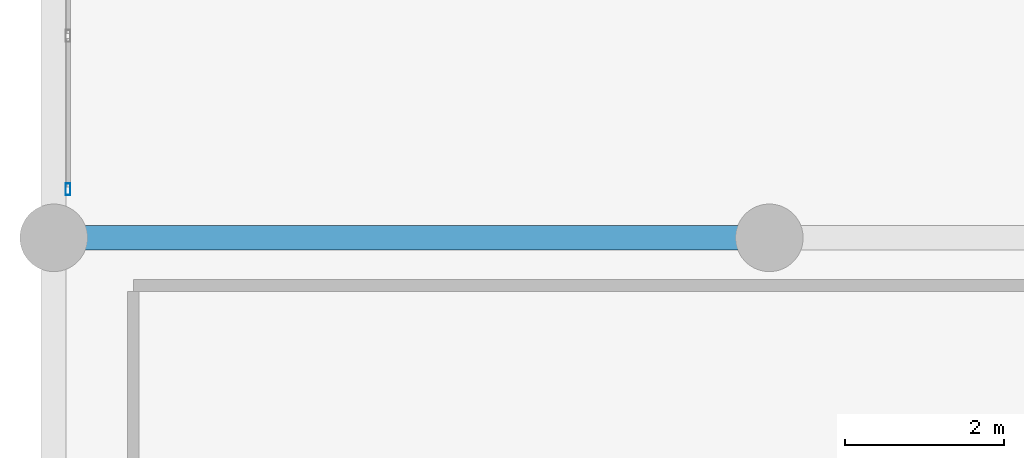
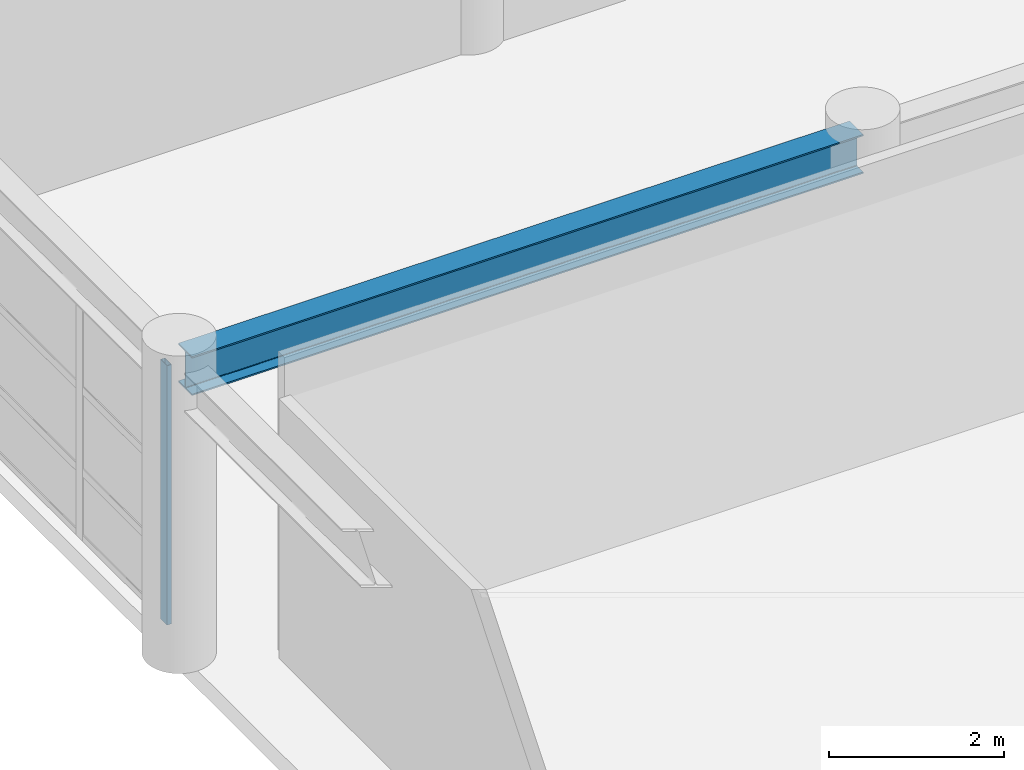
# One storey, part 61 of 133: 1 beam, 1 member, 1 element without a shape of its own.
"""IFC4 building model written with IfcOpenShell, lengths in metres."""

from ifc_helpers import new_model, si_unit, direction, frame, origin, origin_2d, place, context, subcontext, project, spatial, hollow_rectangle, i_section, extrude, material, material_profile, profile_set, type_object, element, aggregate, save


model = new_model("IFC4")

# Units and contexts
model_context = context("Model", 3, precision=1e-05, world=origin(), true_north=direction((0.0, 1.0)))
body_context = subcontext(model_context, "Body", "Model", "MODEL_VIEW")
ifc_project = project(units=[si_unit("LENGTHUNIT", "METRE"), si_unit("AREAUNIT", "SQUARE_METRE"), si_unit("VOLUMEUNIT", "CUBIC_METRE"), si_unit("PLANEANGLEUNIT", "RADIAN"), si_unit("MASSUNIT", "GRAM", prefix="KILO")], contexts=[model_context])

# Site, building, storey
site_placement = place(None, origin())
site = spatial("IfcSite", under=ifc_project, at=site_placement, CompositionType="ELEMENT")
building_placement = place(site_placement, origin())
building = spatial("IfcBuilding", under=site, at=building_placement, Name="Miravela Opera House", CompositionType="ELEMENT")
storey_placement = place(building_placement, frame((0.0, 0.0, 5.10009765625)))
storey = spatial("IfcBuildingStorey", under=building, at=storey_placement, Name="L01", CompositionType="ELEMENT", Elevation=5.10009765625)

# Curtain wall, member
ifc_material_1 = material(Name="Anodised architectural bronze aluminium 6063-T6", Category="aluminium")
curtain_wall_type = type_object("IfcCurtainWallType", Name="ARC-CW-07", PredefinedType="NOTDEFINED", material=ifc_material_1)
curtain_wall_placement = place(storey_placement, origin())
curtain_wall = element("IfcCurtainWall", 1, at=curtain_wall_placement, inside=storey, type_object=curtain_wall_type, Name="Courtyard Arcade Curtain Wall CW-L01-200", PredefinedType="NOTDEFINED")
ifc_material_profile_1 = material_profile(ifc_material_1, hollow_rectangle(XDim=0.06005859375, YDim=0.14990234375, WallThickness=0.00390625, InnerFilletRadius=0.001953125, OuterFilletRadius=0.00390625, at=origin_2d()), Name="CWM-60X150")
ifc_profile_set_1 = profile_set([ifc_material_profile_1])
member_type = type_object("IfcMemberType", Name="ARC-CWM-150", PredefinedType="MULLION", material=ifc_profile_set_1)
member_placement = place(storey_placement, frame((0.179931640625, 103.610107421875, 0.0), z_axis=(0.0, 0.0, 1.0), x_axis=(-1.0, 0.0, 0.0)))
member = element("IfcMember", 2, at=member_placement, type_object=member_type, Name="CW-07 mullion 1", PredefinedType="MULLION", context=body_context, shape_type="SweptSolid", body=[
    extrude(hollow_rectangle(XDim=0.06005859375, YDim=0.14990234375, WallThickness=0.00390625, InnerFilletRadius=0.001953125, OuterFilletRadius=0.00390625, at=origin_2d()), origin(), (0.0, 0.0, 1.0), 3.60986328125),
])
aggregate(curtain_wall, [member])

# Beam
ifc_material_2 = material(Name="Structural steel ASTM A992 Gr. 50", Category="steel")
ifc_material_profile_2 = material_profile(ifc_material_2, i_section(OverallWidth=0.31201171875, OverallDepth=0.54296875, WebThickness=0.0126953125, FlangeThickness=0.020263671875, FilletRadius=0.01611328125, at=origin_2d()), Name="W530X150")
ifc_profile_set_2 = profile_set([ifc_material_profile_2])
beam_type = type_object("IfcBeamType", Name="STR-BM-W530X150", PredefinedType="BEAM", material=ifc_profile_set_2)
beam_placement = place(storey_placement, frame((0.080078125, 103.0, 3.908447265625), z_axis=(1.0, 0.0, 0.0), x_axis=(0.0, 1.0, 0.0)))
element("IfcBeam", 3, at=beam_placement, inside=storey, type_object=beam_type, Name="Roof King-Post Transverse Tie Girder ROOF-V5-NORTH T2.1", PredefinedType="BEAM", context=body_context, shape_type="SweptSolid", body=[
    extrude(i_section(OverallWidth=0.31201171875, OverallDepth=0.54296875, WebThickness=0.0126953125, FlangeThickness=0.020263671875, FilletRadius=0.01611328125, at=origin_2d()), origin(), (0.0, 0.0, 1.0), 8.83984375),
])

save(model, "model.ifc")
